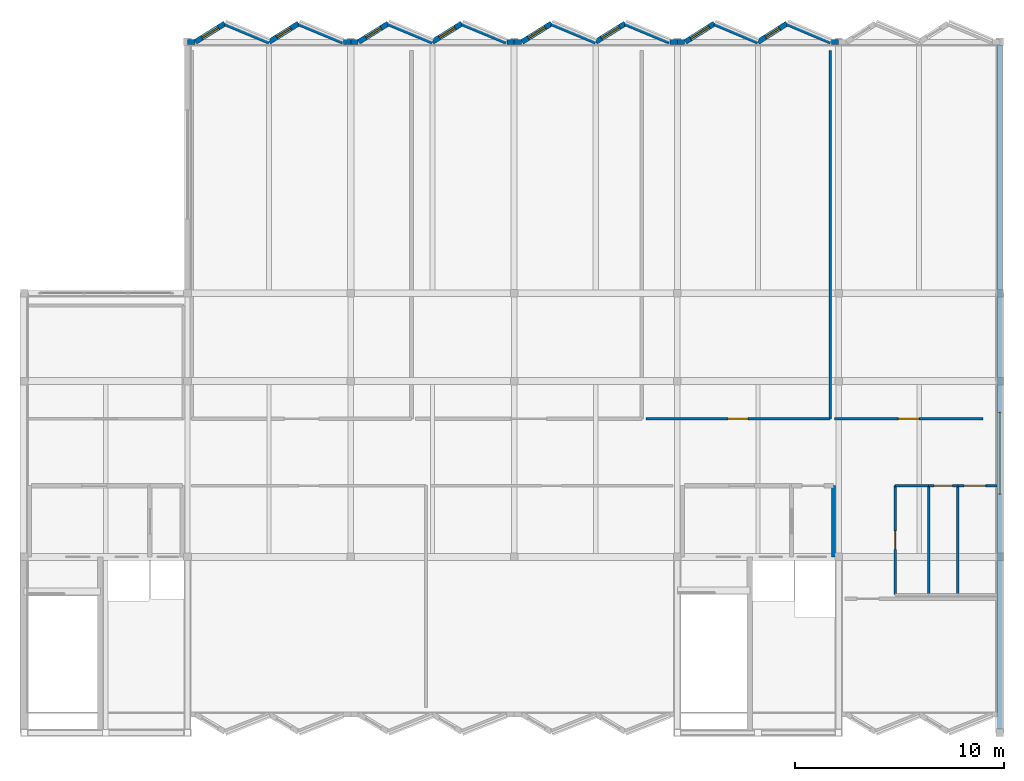
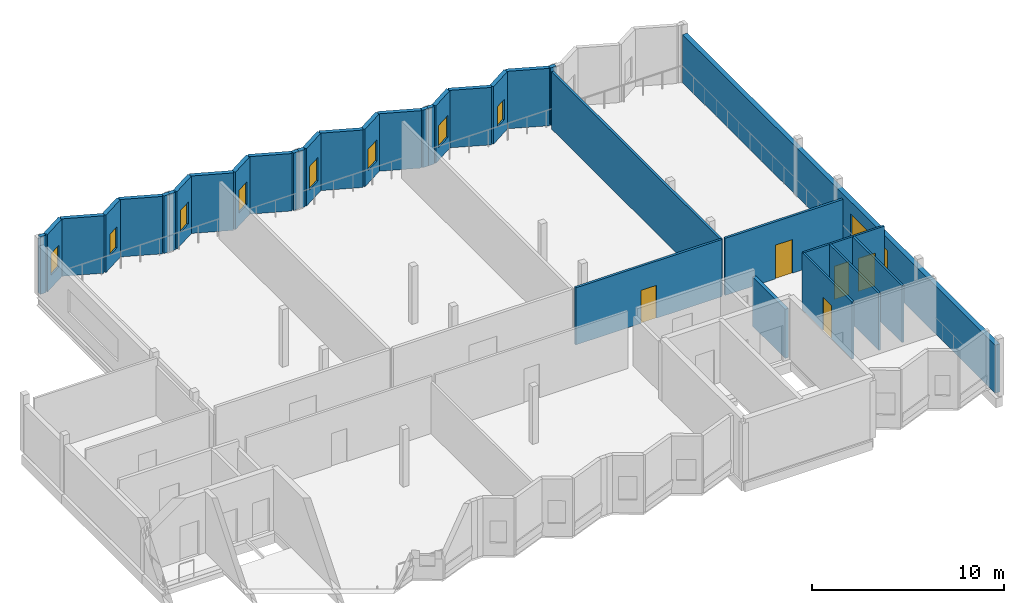
# One storey, part 6 of 8: 35 walls, 9 windows, 5 doors, 14 openings.
"""IFC4 building model written with IfcOpenShell, lengths in metres."""

import ifcopenshell
import ifcopenshell.guid

model = None  # the IFC model being written
_history = None  # IfcOwnerHistory: only IFC2X3 demands one
_inside = {}  # id of a spatial element -> (the spatial element, [elements in it])
_under = {}  # id of a project, library or spatial element -> (it, [spatial elements below it])
_declared = {}  # id of a project -> (the project, [libraries it declares])
_typed = {}  # id of a type object -> (the type object, [elements of that type])
_made_of = {}  # id of a material, layer set ... -> (it, [elements and type objects made of it])


def new_model(schema):
    """Start an empty IFC model of exactly this schema.

    Asked for "IFC4X3", IfcOpenShell would pick the latest addendum, in which some entities
    have other attributes; the version numbers below select the first issue.
    IFC2X3 requires an IfcOwnerHistory on every rooted entity: one is made here for all.
    """
    global model, _history
    if schema == "IFC4X3":
        model = ifcopenshell.file(schema_version=(4, 3, 0, 0))
    else:
        model = ifcopenshell.file(schema=schema)
    _inside.clear()
    _under.clear()
    _declared.clear()
    _typed.clear()
    _made_of.clear()
    _history = None
    if model.schema == "IFC2X3":
        org = make("IfcOrganization", Name="unknown")
        user = make(
            "IfcPersonAndOrganization",
            ThePerson=make("IfcPerson", FamilyName="unknown"),
            TheOrganization=org,
        )
        app = make(
            "IfcApplication",
            ApplicationDeveloper=org,
            Version="unknown",
            ApplicationFullName="unknown",
            ApplicationIdentifier="unknown",
        )
        _history = make(
            "IfcOwnerHistory",
            OwningUser=user,
            OwningApplication=app,
            ChangeAction="ADDED",
            CreationDate=0,
        )
    return model


def make(cls, **values):
    """One entity of the class cls with the attributes given. An attribute that is None is left unset."""
    return model.create_entity(
        cls, **{name: value for name, value in values.items() if value is not None}
    )


def rooted(cls, **values):
    """An entity with a GlobalId (a new one), such as an element, a storey or a relation."""
    return make(cls, GlobalId=ifcopenshell.guid.new(), OwnerHistory=_history, **values)


def si_unit(unit_type, name, prefix=None):
    """IfcSIUnit, for example si_unit("LENGTHUNIT", "METRE", prefix="MILLI")."""
    return make("IfcSIUnit", UnitType=unit_type, Prefix=prefix, Name=name)


def assignment(units):
    """IfcUnitAssignment: the units of a project."""
    return None if units is None else make("IfcUnitAssignment", Units=units)


def point(xyz):
    """IfcCartesianPoint."""
    return None if xyz is None else make("IfcCartesianPoint", Coordinates=xyz)


def direction(xyz):
    """IfcDirection."""
    return None if xyz is None else make("IfcDirection", DirectionRatios=xyz)


def frame(location, z_axis=None, x_axis=None):
    """IfcAxis2Placement3D, a coordinate frame: its origin and axes. An axis left out is left unset."""
    return make(
        "IfcAxis2Placement3D",
        Location=point(location),
        Axis=direction(z_axis),
        RefDirection=direction(x_axis),
    )


def frame_2d(location, x_axis=None):
    """IfcAxis2Placement2D, a coordinate frame in the plane: its origin and x axis."""
    return make(
        "IfcAxis2Placement2D", Location=point(location), RefDirection=direction(x_axis)
    )


def origin():
    """The frame at (0, 0, 0) with its axes left unset."""
    return frame((0.0, 0.0, 0.0))


def place(relative_to, where):
    """IfcLocalPlacement: puts the frame where relative to a parent placement (None: the world)."""
    return make(
        "IfcLocalPlacement", PlacementRelTo=relative_to, RelativePlacement=where
    )


def context(
    kind, dimensions, precision=None, world=None, true_north=None, identifier=None
):
    """IfcGeometricRepresentationContext, for example the 3D "Model" context."""
    return make(
        "IfcGeometricRepresentationContext",
        ContextIdentifier=identifier,
        ContextType=kind,
        CoordinateSpaceDimension=dimensions,
        Precision=precision,
        WorldCoordinateSystem=world,
        TrueNorth=true_north,
    )


def subcontext(parent, identifier, kind, view, scale=None):
    """IfcGeometricRepresentationSubContext, for example "Body" below "Model"."""
    return make(
        "IfcGeometricRepresentationSubContext",
        ContextIdentifier=identifier,
        ContextType=kind,
        ParentContext=parent,
        TargetScale=scale,
        TargetView=view,
    )


def project(units=None, contexts=None):
    """IfcProject with its units and contexts."""
    return rooted(
        "IfcProject",
        Name="project",
        RepresentationContexts=contexts,
        UnitsInContext=assignment(units),
    )


def spatial(cls, under=None, at=None, **own):
    """A site, building, storey or space (cls), placed at a placement, below another one or the project."""
    s = rooted(cls, ObjectPlacement=at, **own)
    if under is not None:
        _under.setdefault(under.id(), (under, []))[1].append(s)
    return s


def profile(cls, at=None, kind="AREA", **sizes):
    """A parametric profile (cls). Its sizes go by their IFC names, for example OverallWidth=200.0."""
    return make(cls, ProfileType=kind, Position=at, **sizes)


def rectangle(**sizes):
    """IfcRectangleProfileDef."""
    return profile("IfcRectangleProfileDef", **sizes)


def extrude(swept, where, along, depth):
    """IfcExtrudedAreaSolid: the profile swept, set in the frame where, extruded along a direction by depth."""
    return make(
        "IfcExtrudedAreaSolid",
        SweptArea=swept,
        Position=where,
        ExtrudedDirection=direction(along),
        Depth=depth,
    )


def shape(context_of_items, identifier, shape_type, items):
    """IfcShapeRepresentation: the items that make up one representation, for example the "Body"."""
    return make(
        "IfcShapeRepresentation",
        ContextOfItems=context_of_items,
        RepresentationIdentifier=identifier,
        RepresentationType=shape_type,
        Items=items,
    )


def material(Name=None, Category=None):
    """IfcMaterial."""
    return make("IfcMaterial", Name=Name, Category=Category)


def layer(
    of_material, thickness, ventilated=None, Name=None, Category=None, Priority=None
):
    """IfcMaterialLayer: one layer of a wall or slab, of a material (None: an air gap)."""
    return make(
        "IfcMaterialLayer",
        Material=of_material,
        LayerThickness=thickness,
        IsVentilated=ventilated,
        Name=Name,
        Category=Category,
        Priority=Priority,
    )


def layer_set(layers, Name=None):
    """IfcMaterialLayerSet."""
    return make("IfcMaterialLayerSet", MaterialLayers=layers, LayerSetName=Name)


def made_of(thing, what):
    """Note that an element or type object is made of a material, layer set ...; save() writes the relation."""
    if what is not None:
        _made_of.setdefault(what.id(), (what, []))[1].append(thing)
    return thing


def type_object(cls, material=None, **own):
    """A type object (cls), such as IfcWallType, which elements share."""
    return made_of(rooted(cls, **own), material)


def element(
    cls,
    number,
    at=None,
    inside=None,
    cuts=None,
    type_object=None,
    material=None,
    context=None,
    identifier="Body",
    shape_type=None,
    held_by="IfcProductDefinitionShape",
    body=None,
    shapes=None,
    **own,
):
    """One element of the class cls, such as IfcWall. Its Tag is "e" and its number.

    at: its placement. inside: the storey or other place that contains it. cuts: it is an
    opening in that element (IfcRelVoidsElement). A single representation is given by context,
    identifier, shape_type and body (its items); several are given by shapes. held_by: the class
    of the entity that holds the representations. save() writes the other relations.
    """
    e = rooted(cls, Tag="e%d" % number, ObjectPlacement=at, **own)
    if body is not None:
        shapes = [shape(context, identifier, shape_type, body)]
    if shapes is not None:
        e.Representation = make(held_by, Representations=shapes)
    if inside is not None:
        _inside.setdefault(inside.id(), (inside, []))[1].append(e)
    if cuts is not None:
        rooted(
            "IfcRelVoidsElement", RelatingBuildingElement=cuts, RelatedOpeningElement=e
        )
    if type_object is not None:
        _typed.setdefault(type_object.id(), (type_object, []))[1].append(e)
    return made_of(e, material)


def fill(opening, filler):
    """IfcRelFillsElement: the door or window that sits in an opening."""
    return rooted(
        "IfcRelFillsElement",
        RelatingOpeningElement=opening,
        RelatedBuildingElement=filler,
    )


def aggregate(whole, parts):
    """IfcRelAggregates: a whole, such as a stair, and the parts it consists of."""
    return rooted("IfcRelAggregates", RelatingObject=whole, RelatedObjects=parts)


def save(model, path):
    """Write the relations noted so far, then the file.

    IfcRelAggregates (storeys below a building ...), IfcRelContainedInSpatialStructure (elements
    in a storey), IfcRelDefinesByType, IfcRelAssociatesMaterial and IfcRelDeclares: one each for
    every whole, place, type object, material and project.
    """
    for whole, parts in _under.values():
        aggregate(whole, parts)
    for where, things in _inside.values():
        rooted(
            "IfcRelContainedInSpatialStructure",
            RelatedElements=things,
            RelatingStructure=where,
        )
    for kind, things in _typed.values():
        rooted("IfcRelDefinesByType", RelatedObjects=things, RelatingType=kind)
    for what, things in _made_of.values():
        rooted("IfcRelAssociatesMaterial", RelatedObjects=things, RelatingMaterial=what)
    for by, libraries in _declared.values():
        rooted("IfcRelDeclares", RelatingContext=by, RelatedDefinitions=libraries)
    model.write(path)


model = new_model("IFC4")

# Units and contexts
model_context = context("Model", 3, precision=1e-05, world=origin(), true_north=direction((0.0, 1.0)))
body_context = subcontext(model_context, "Body", "Model", "MODEL_VIEW")
ifc_project = project(units=[si_unit("LENGTHUNIT", "METRE"), si_unit("AREAUNIT", "SQUARE_METRE"), si_unit("VOLUMEUNIT", "CUBIC_METRE"), si_unit("PLANEANGLEUNIT", "RADIAN"), si_unit("MASSUNIT", "GRAM", prefix="KILO")], contexts=[model_context])

# Site, building, storey
site_placement = place(None, origin())
site = spatial("IfcSite", under=ifc_project, at=site_placement, CompositionType="ELEMENT")
building_placement = place(site_placement, origin())
building = spatial("IfcBuilding", under=site, at=building_placement, Name="Vharandega Faculty of Natural Sciences", CompositionType="ELEMENT")
storey_placement = place(building_placement, frame((0.0, 0.0, 43.199951171875)))
storey = spatial("IfcBuildingStorey", under=building, at=storey_placement, Name="L11", CompositionType="ELEMENT", Elevation=43.199951171875)

# Wall
ifc_material_1 = material(Name="Concrete C40/50", Category="concrete")
ifc_layer_1 = layer(ifc_material_1, 0.199951171875, Name="Concrete C40/50")
ifc_layer_set_1 = layer_set([ifc_layer_1], Name="Concrete C40/50")
wall_type_1 = type_object("IfcWallType", Name="Firefighting Lobby Wall 200", PredefinedType="PARTITIONING", material=ifc_layer_set_1)
wall_1_placement = place(storey_placement, frame((153.449951171875, 72.39990234375, 0.0), z_axis=(0.0, 0.0, 1.0), x_axis=(0.0, 1.0, 0.0)))
element("IfcWall", 1, at=wall_1_placement, inside=storey, type_object=wall_type_1, Name="Interior Wall PW-LL-C2-L11-E", PredefinedType="PARTITIONING", context=body_context, shape_type="SweptSolid", body=[
    extrude(rectangle(XDim=3.400146484375, YDim=0.199951171875, at=frame_2d((1.7001953125, 0.0))), origin(), (0.0, 0.0, 1.0), 3.14013671875),
])

# Wall, opening, door
ifc_material_2 = material(Name="Gypsum acoustic partition", Category="gypsum")
ifc_layer_2 = layer(ifc_material_2, 0.139892578125, Name="Gypsum acoustic partition")
ifc_layer_set_2 = layer_set([ifc_layer_2], Name="Gypsum acoustic partition")
wall_type_2 = type_object("IfcWallType", Name="Room Partition Wall 140", PredefinedType="PARTITIONING", material=ifc_layer_set_2)
wall_2_placement = place(storey_placement, frame((144.5, 79.0, 0.0), z_axis=(0.0, 0.0, 1.0), x_axis=(1.0, 0.0, 0.0)))
wall_2 = element("IfcWall", 2, at=wall_2_placement, inside=storey, type_object=wall_type_2, Name="Interior Wall PW-L11-R10S", PredefinedType="PARTITIONING", context=body_context, shape_type="SweptSolid", body=[
    extrude(rectangle(XDim=8.800048828125, YDim=0.139892578125, at=frame_2d((4.39990234375, 0.0))), origin(), (0.0, 0.0, 1.0), 3.64013671875),
])
opening_1_placement = place(wall_2_placement, frame((3.925048828125, 0.0, 0.0)))
opening_1 = element("IfcOpeningElement", 3, at=opening_1_placement, cuts=wall_2, Name="Opening D0392", PredefinedType="OPENING", context=body_context, shape_type="SweptSolid", body=[
    extrude(rectangle(XDim=0.949951171875, YDim=2.10009765625, at=frame_2d((0.47509765625, 1.050048828125))), frame((0.0, 0.080078125, 0.0), z_axis=(0.0, -1.0, 0.0), x_axis=(1.0, 0.0, 0.0)), (0.0, 0.0, 1.0), 0.159912109375),
])
ifc_material_3 = material(Name="Solid-core hardwood timber fire door", Category="wood")
door_type_1 = type_object("IfcDoorType", Name="ID04-OFFICE-0950x2100", OperationType="NOTDEFINED", PredefinedType="DOOR", material=ifc_material_3)
door_1_placement = place(opening_1_placement, origin())
door_1 = element("IfcDoor", 4, at=door_1_placement, inside=storey, type_object=door_type_1, Name="Dean of Natural Sciences Office Suite Door D0392", OperationType="SINGLE_SWING_LEFT", OverallHeight=2.10009765625, OverallWidth=0.949951171875, PredefinedType="DOOR", context=body_context, shape_type="SweptSolid", body=[
    extrude(rectangle(XDim=0.949951171875, YDim=2.10009765625, at=frame_2d((0.47509765625, 1.050048828125))), frame((0.0, 0.02490234375, 0.0), z_axis=(0.0, -1.0, 0.0), x_axis=(1.0, 0.0, 0.0)), (0.0, 0.0, 1.0), 0.050048828125),
])
fill(opening_1, door_1)

# Wall
wall_3_placement = place(storey_placement, frame((153.300048828125, 79.0, 0.0), z_axis=(0.0, 0.0, 1.0), x_axis=(0.0, 1.0, 0.0)))
element("IfcWall", 5, at=wall_3_placement, inside=storey, type_object=wall_type_2, Name="Interior Wall PW-L11-R10E", PredefinedType="PARTITIONING", context=body_context, shape_type="SweptSolid", body=[
    extrude(rectangle(XDim=17.60009765625, YDim=0.139892578125, at=frame_2d((8.800048828125, 0.0))), origin(), (0.0, 0.0, 1.0), 3.64013671875),
])

# Wall, opening, door
wall_4_placement = place(storey_placement, frame((153.5, 79.0, 0.0), z_axis=(0.0, 0.0, 1.0), x_axis=(1.0, 0.0, 0.0)))
wall_4 = element("IfcWall", 6, at=wall_4_placement, inside=storey, type_object=wall_type_2, Name="Interior Wall PW-L11-R11S", PredefinedType="PARTITIONING", context=body_context, shape_type="SweptSolid", body=[
    extrude(rectangle(XDim=7.10009765625, YDim=0.139892578125, at=frame_2d((3.550048828125, 0.0))), origin(), (0.0, 0.0, 1.0), 3.64013671875),
])
opening_2_placement = place(wall_4_placement, frame((3.050048828125, 0.0, 0.0)))
opening_2 = element("IfcOpeningElement", 7, at=opening_2_placement, cuts=wall_4, Name="Opening D0393", PredefinedType="OPENING", context=body_context, shape_type="SweptSolid", body=[
    extrude(rectangle(XDim=1.0, YDim=2.14990234375, at=frame_2d((0.5, 1.074951171875))), frame((0.0, 0.080078125, 0.0), z_axis=(0.0, -1.0, 0.0), x_axis=(1.0, 0.0, 0.0)), (0.0, 0.0, 1.0), 0.159912109375),
])
ifc_material_4 = material(Name="Solid-core hardwood timber fire door", Category="wood")
door_type_2 = type_object("IfcDoorType", Name="ID02-SEMINAR-1000x2150", OperationType="NOTDEFINED", PredefinedType="DOOR", material=ifc_material_4)
door_2_placement = place(opening_2_placement, origin())
door_2 = element("IfcDoor", 8, at=door_2_placement, inside=storey, type_object=door_type_2, Name="Rooftop Botanical Research Conservatory Door D0393", OperationType="SINGLE_SWING_RIGHT", OverallHeight=2.14990234375, OverallWidth=1.0, PredefinedType="DOOR", context=body_context, shape_type="SweptSolid", body=[
    extrude(rectangle(XDim=1.0, YDim=2.14990234375, at=frame_2d((0.5, 1.074951171875))), frame((0.0, 0.02490234375, 0.0), z_axis=(0.0, -1.0, 0.0), x_axis=(1.0, 0.0, 0.0)), (0.0, 0.0, 1.0), 0.050048828125),
])
fill(opening_2, door_2)

# Wall
ifc_material_5 = material(Name="Moisture-resistant gypsum partition", Category="gypsum")
ifc_layer_3 = layer(ifc_material_5, 0.1201171875, Name="Moisture-resistant gypsum partition")
ifc_layer_set_3 = layer_set([ifc_layer_3], Name="Moisture-resistant gypsum partition")
wall_type_3 = type_object("IfcWallType", Name="Sanitary Wet Wall 120", PredefinedType="PARTITIONING", material=ifc_layer_set_3)
wall_5_placement = place(storey_placement, frame((156.39990234375, 75.800048828125, 0.0), z_axis=(0.0, 0.0, 1.0), x_axis=(1.0, 0.0, 0.0)))
element("IfcWall", 9, at=wall_5_placement, inside=storey, type_object=wall_type_3, Name="Interior Wall PW-L11-R04N", PredefinedType="PARTITIONING", context=body_context, shape_type="SweptSolid", body=[
    extrude(rectangle(XDim=1.60009765625, YDim=0.1201171875, at=frame_2d((0.800048828125, 0.0))), origin(), (0.0, 0.0, 1.0), 3.64013671875),
])

# Wall, opening, door
wall_6_placement = place(storey_placement, frame((156.39990234375, 70.60009765625, 0.0), z_axis=(0.0, 0.0, 1.0), x_axis=(0.0, 1.0, 0.0)))
wall_6 = element("IfcWall", 10, at=wall_6_placement, inside=storey, type_object=wall_type_3, Name="Interior Wall PW-L11-R04W", PredefinedType="PARTITIONING", context=body_context, shape_type="SweptSolid", body=[
    extrude(rectangle(XDim=5.199951171875, YDim=0.1201171875, at=frame_2d((2.60009765625, 0.0))), origin(), (0.0, 0.0, 1.0), 3.64013671875),
])
opening_3_placement = place(wall_6_placement, frame((2.159912109375, 0.0, 0.0)))
opening_3 = element("IfcOpeningElement", 11, at=opening_3_placement, cuts=wall_6, Name="Opening D0386", PredefinedType="OPENING", context=body_context, shape_type="SweptSolid", body=[
    extrude(rectangle(XDim=0.8798828125, YDim=2.10009765625, at=frame_2d((0.43994140625, 1.050048828125))), frame((0.0, 0.070068359375, 0.0), z_axis=(0.0, -1.0, 0.0), x_axis=(1.0, 0.0, 0.0)), (0.0, 0.0, 1.0), 0.14013671875),
])
ifc_material_6 = material(Name="Solid-core hardwood timber fire door", Category="wood")
door_type_3 = type_object("IfcDoorType", Name="ID06-WC-0880x2100", OperationType="NOTDEFINED", PredefinedType="DOOR", material=ifc_material_6)
door_3_placement = place(opening_3_placement, origin())
door_3 = element("IfcDoor", 12, at=door_3_placement, inside=storey, type_object=door_type_3, Name="L11 Male Washroom Door D0386", OperationType="SINGLE_SWING_LEFT", OverallHeight=2.10009765625, OverallWidth=0.8798828125, PredefinedType="DOOR", context=body_context, shape_type="SweptSolid", body=[
    extrude(rectangle(XDim=0.8798828125, YDim=2.10009765625, at=frame_2d((0.43994140625, 1.050048828125))), frame((0.0, 0.02490234375, 0.0), z_axis=(0.0, -1.0, 0.0), x_axis=(1.0, 0.0, 0.0)), (0.0, 0.0, 1.0), 0.050048828125),
])
fill(opening_3, door_3)

# Wall
wall_7_placement = place(storey_placement, frame((158.0, 70.60009765625, 0.0), z_axis=(0.0, 0.0, 1.0), x_axis=(0.0, 1.0, 0.0)))
element("IfcWall", 13, at=wall_7_placement, inside=storey, type_object=wall_type_3, Name="Interior Wall PW-L11-R04E", PredefinedType="PARTITIONING", context=body_context, shape_type="SweptSolid", body=[
    extrude(rectangle(XDim=5.199951171875, YDim=0.1201171875, at=frame_2d((2.60009765625, 0.0))), origin(), (0.0, 0.0, 1.0), 3.64013671875),
])

# Wall, opening, door
wall_8_placement = place(storey_placement, frame((158.0, 75.800048828125, 0.0), z_axis=(0.0, 0.0, 1.0), x_axis=(1.0, 0.0, 0.0)))
wall_8 = element("IfcWall", 14, at=wall_8_placement, inside=storey, type_object=wall_type_3, Name="Interior Wall PW-L11-R05N", PredefinedType="PARTITIONING", context=body_context, shape_type="SweptSolid", body=[
    extrude(rectangle(XDim=1.39990234375, YDim=0.1201171875, at=frame_2d((0.699951171875, 0.0))), origin(), (0.0, 0.0, 1.0), 3.64013671875),
])
opening_4_placement = place(wall_8_placement, frame((0.260009765625, 0.0, 0.0)))
opening_4 = element("IfcOpeningElement", 15, at=opening_4_placement, cuts=wall_8, Name="Opening D0387", PredefinedType="OPENING", context=body_context, shape_type="SweptSolid", body=[
    extrude(rectangle(XDim=0.8798828125, YDim=2.10009765625, at=frame_2d((0.43994140625, 1.050048828125))), frame((0.0, 0.070068359375, 0.0), z_axis=(0.0, -1.0, 0.0), x_axis=(1.0, 0.0, 0.0)), (0.0, 0.0, 1.0), 0.14013671875),
])
door_4_placement = place(opening_4_placement, origin())
door_4 = element("IfcDoor", 16, at=door_4_placement, inside=storey, type_object=door_type_3, Name="L11 Female Washroom Door D0387", OperationType="SINGLE_SWING_RIGHT", OverallHeight=2.10009765625, OverallWidth=0.8798828125, PredefinedType="DOOR", context=body_context, shape_type="SweptSolid", body=[
    extrude(rectangle(XDim=0.8798828125, YDim=2.10009765625, at=frame_2d((0.43994140625, 1.050048828125))), frame((0.0, 0.02490234375, 0.0), z_axis=(0.0, -1.0, 0.0), x_axis=(1.0, 0.0, 0.0)), (0.0, 0.0, 1.0), 0.050048828125),
])
fill(opening_4, door_4)

# Wall
wall_9_placement = place(storey_placement, frame((159.39990234375, 70.60009765625, 0.0), z_axis=(0.0, 0.0, 1.0), x_axis=(0.0, 1.0, 0.0)))
element("IfcWall", 17, at=wall_9_placement, inside=storey, type_object=wall_type_3, Name="Interior Wall PW-L11-R05E", PredefinedType="PARTITIONING", context=body_context, shape_type="SweptSolid", body=[
    extrude(rectangle(XDim=5.199951171875, YDim=0.1201171875, at=frame_2d((2.60009765625, 0.0))), origin(), (0.0, 0.0, 1.0), 3.64013671875),
])

# Wall, opening, door
wall_10_placement = place(storey_placement, frame((159.39990234375, 75.800048828125, 0.0), z_axis=(0.0, 0.0, 1.0), x_axis=(1.0, 0.0, 0.0)))
wall_10 = element("IfcWall", 18, at=wall_10_placement, inside=storey, type_object=wall_type_3, Name="Interior Wall PW-L11-R06N", PredefinedType="PARTITIONING", context=body_context, shape_type="SweptSolid", body=[
    extrude(rectangle(XDim=1.860107421875, YDim=0.1201171875, at=frame_2d((0.93017578125, 0.0))), origin(), (0.0, 0.0, 1.0), 3.64013671875),
])
opening_5_placement = place(wall_10_placement, frame((0.300048828125, 0.0, 0.0)))
opening_5 = element("IfcOpeningElement", 19, at=opening_5_placement, cuts=wall_10, Name="Opening D0388", PredefinedType="OPENING", context=body_context, shape_type="SweptSolid", body=[
    extrude(rectangle(XDim=1.02001953125, YDim=2.10009765625, at=frame_2d((0.510009765625, 1.050048828125))), frame((0.0, 0.070068359375, 0.0), z_axis=(0.0, -1.0, 0.0), x_axis=(1.0, 0.0, 0.0)), (0.0, 0.0, 1.0), 0.14013671875),
])
ifc_material_7 = material(Name="Solid-core hardwood timber fire door", Category="wood")
door_type_4 = type_object("IfcDoorType", Name="ID07-ACCWC-1020x2100", OperationType="NOTDEFINED", PredefinedType="DOOR", material=ifc_material_7)
door_5_placement = place(opening_5_placement, origin())
door_5 = element("IfcDoor", 20, at=door_5_placement, inside=storey, type_object=door_type_4, Name="L11 Accessible WC Door D0388", OperationType="SINGLE_SWING_LEFT", OverallHeight=2.10009765625, OverallWidth=1.02001953125, PredefinedType="DOOR", context=body_context, shape_type="SweptSolid", body=[
    extrude(rectangle(XDim=1.02001953125, YDim=2.10009765625, at=frame_2d((0.510009765625, 1.050048828125))), frame((0.0, 0.02490234375, 0.0), z_axis=(0.0, -1.0, 0.0), x_axis=(1.0, 0.0, 0.0)), (0.0, 0.0, 1.0), 0.050048828125),
])
fill(opening_5, door_5)

# Wall, opening, window
ifc_material_8 = material(Name="Precast concrete C40/50", Category="concrete")
ifc_layer_4 = layer(ifc_material_8, 0.25, Name="Precast concrete C40/50")
ifc_layer_set_4 = layer_set([ifc_layer_4], Name="Precast concrete C40/50")
wall_type_4 = type_object("IfcWallType", Name="Sawtooth Glazed-Face Precast Wall 250", PredefinedType="SOLIDWALL", material=ifc_layer_set_4)
wall_11_placement = place(storey_placement, frame((122.97998046875, 97.0, 0.0), z_axis=(0.0, 0.0, 1.0), x_axis=(0.848023086369, 0.529959286158, 0.0)))
wall_11 = element("IfcWall", 21, at=wall_11_placement, inside=storey, type_object=wall_type_4, Name="Exterior Wall EW-SAW-L11-N01G", PredefinedType="SOLIDWALL", context=body_context, shape_type="SweptSolid", body=[
    extrude(rectangle(XDim=1.660400390625, YDim=0.25, at=frame_2d((0.830078125, 0.0))), origin(), (0.0, 0.0, 1.0), 3.66015625),
])
opening_6_placement = place(wall_11_placement, frame((0.3701171875, 0.0, 0.820068359375)))
opening_6 = element("IfcOpeningElement", 22, at=opening_6_placement, cuts=wall_11, Name="Opening WN-06B", PredefinedType="OPENING", context=body_context, shape_type="SweptSolid", body=[
    extrude(rectangle(XDim=0.919921875, YDim=1.3798828125, at=frame_2d((0.4599609375, 0.68994140625))), frame((0.0, 0.135009765625, 0.0), z_axis=(0.0, -1.0, 0.0), x_axis=(1.0, 0.0, 0.0)), (0.0, 0.0, 1.0), 0.27001953125),
])
ifc_material_9 = material(Name="Double-glazed solar-control glass in thermally broken aluminium frame", Category="aluminium")
window_type_1 = type_object("IfcWindowType", Name="WIN-SAW-092x138", PartitioningType="SINGLE_PANEL", PredefinedType="WINDOW", material=ifc_material_9)
window_1_placement = place(opening_6_placement, origin())
window_1 = element("IfcWindow", 23, at=window_1_placement, inside=storey, type_object=window_type_1, Name="Window WIN-L11-0129", OverallHeight=1.3798828125, OverallWidth=0.919921875, PartitioningType="SINGLE_PANEL", PredefinedType="WINDOW", context=body_context, shape_type="SweptSolid", body=[
    extrude(rectangle(XDim=0.919921875, YDim=1.3798828125, at=frame_2d((0.4599609375, 0.68994140625))), frame((0.0, 0.030029296875, 0.0), z_axis=(0.0, -1.0, 0.0), x_axis=(1.0, 0.0, 0.0)), (0.0, 0.0, 1.0), 0.06005859375),
])
fill(opening_6, window_1)

wall_12_placement = place(storey_placement, frame((126.5, 97.0, 0.0), z_axis=(0.0, 0.0, 1.0), x_axis=(0.848023086369, 0.529959286158, 0.0)))
wall_12 = element("IfcWall", 24, at=wall_12_placement, inside=storey, type_object=wall_type_4, Name="Exterior Wall EW-SAW-L11-N02G", PredefinedType="SOLIDWALL", context=body_context, shape_type="SweptSolid", body=[
    extrude(rectangle(XDim=1.660400390625, YDim=0.25, at=frame_2d((0.830078125, 0.0))), origin(), (0.0, 0.0, 1.0), 3.66015625),
])
opening_7_placement = place(wall_12_placement, frame((0.43017578125, 0.0, 0.820068359375)))
opening_7 = element("IfcOpeningElement", 25, at=opening_7_placement, cuts=wall_12, Name="Opening WN-01", PredefinedType="OPENING", context=body_context, shape_type="SweptSolid", body=[
    extrude(rectangle(XDim=0.800048828125, YDim=1.35009765625, at=frame_2d((0.39990234375, 0.675048828125))), frame((0.0, 0.135009765625, 0.0), z_axis=(0.0, -1.0, 0.0), x_axis=(1.0, 0.0, 0.0)), (0.0, 0.0, 1.0), 0.27001953125),
])
ifc_material_10 = material(Name="Double-glazed solar-control glass in thermally broken aluminium frame", Category="aluminium")
window_type_2 = type_object("IfcWindowType", Name="WIN-SAW-080x135", PartitioningType="SINGLE_PANEL", PredefinedType="WINDOW", material=ifc_material_10)
window_2_placement = place(opening_7_placement, origin())
window_2 = element("IfcWindow", 26, at=window_2_placement, inside=storey, type_object=window_type_2, Name="Window WIN-L11-0130", OverallHeight=1.35009765625, OverallWidth=0.800048828125, PartitioningType="SINGLE_PANEL", PredefinedType="WINDOW", context=body_context, shape_type="SweptSolid", body=[
    extrude(rectangle(XDim=0.800048828125, YDim=1.35009765625, at=frame_2d((0.39990234375, 0.675048828125))), frame((0.0, 0.030029296875, 0.0), z_axis=(0.0, -1.0, 0.0), x_axis=(1.0, 0.0, 0.0)), (0.0, 0.0, 1.0), 0.06005859375),
])
fill(opening_7, window_2)

wall_13_placement = place(storey_placement, frame((130.780029296875, 97.0, 0.0), z_axis=(0.0, 0.0, 1.0), x_axis=(0.848023086369, 0.529959286158, 0.0)))
wall_13 = element("IfcWall", 27, at=wall_13_placement, inside=storey, type_object=wall_type_4, Name="Exterior Wall EW-SAW-L11-N03G", PredefinedType="SOLIDWALL", context=body_context, shape_type="SweptSolid", body=[
    extrude(rectangle(XDim=1.660400390625, YDim=0.25, at=frame_2d((0.830078125, 0.0))), origin(), (0.0, 0.0, 1.0), 3.66015625),
])
opening_8_placement = place(wall_13_placement, frame((0.4052734375, 0.0, 0.820068359375)))
opening_8 = element("IfcOpeningElement", 28, at=opening_8_placement, cuts=wall_13, Name="Opening WN-02", PredefinedType="OPENING", context=body_context, shape_type="SweptSolid", body=[
    extrude(rectangle(XDim=0.85009765625, YDim=1.39990234375, at=frame_2d((0.425048828125, 0.699951171875))), frame((0.0, 0.135009765625, 0.0), z_axis=(0.0, -1.0, 0.0), x_axis=(1.0, 0.0, 0.0)), (0.0, 0.0, 1.0), 0.27001953125),
])
ifc_material_11 = material(Name="Double-glazed solar-control glass in thermally broken aluminium frame", Category="aluminium")
window_type_3 = type_object("IfcWindowType", Name="WIN-SAW-085x140", PartitioningType="SINGLE_PANEL", PredefinedType="WINDOW", material=ifc_material_11)
window_3_placement = place(opening_8_placement, origin())
window_3 = element("IfcWindow", 29, at=window_3_placement, inside=storey, type_object=window_type_3, Name="Window WIN-L11-0131", OverallHeight=1.39990234375, OverallWidth=0.85009765625, PartitioningType="SINGLE_PANEL", PredefinedType="WINDOW", context=body_context, shape_type="SweptSolid", body=[
    extrude(rectangle(XDim=0.85009765625, YDim=1.39990234375, at=frame_2d((0.425048828125, 0.699951171875))), frame((0.0, 0.030029296875, 0.0), z_axis=(0.0, -1.0, 0.0), x_axis=(1.0, 0.0, 0.0)), (0.0, 0.0, 1.0), 0.06005859375),
])
fill(opening_8, window_3)

wall_14_placement = place(storey_placement, frame((134.300048828125, 97.0, 0.0), z_axis=(0.0, 0.0, 1.0), x_axis=(0.848023086369, 0.529959286158, 0.0)))
wall_14 = element("IfcWall", 30, at=wall_14_placement, inside=storey, type_object=wall_type_4, Name="Exterior Wall EW-SAW-L11-N04G", PredefinedType="SOLIDWALL", context=body_context, shape_type="SweptSolid", body=[
    extrude(rectangle(XDim=1.660400390625, YDim=0.25, at=frame_2d((0.830078125, 0.0))), origin(), (0.0, 0.0, 1.0), 3.66015625),
])
opening_9_placement = place(wall_14_placement, frame((0.380126953125, 0.0, 0.820068359375)))
opening_9 = element("IfcOpeningElement", 31, at=opening_9_placement, cuts=wall_14, Name="Opening WN-03", PredefinedType="OPENING", context=body_context, shape_type="SweptSolid", body=[
    extrude(rectangle(XDim=0.89990234375, YDim=1.449951171875, at=frame_2d((0.449951171875, 0.72509765625))), frame((0.0, 0.135009765625, 0.0), z_axis=(0.0, -1.0, 0.0), x_axis=(1.0, 0.0, 0.0)), (0.0, 0.0, 1.0), 0.27001953125),
])
ifc_material_12 = material(Name="Double-glazed solar-control glass in thermally broken aluminium frame", Category="aluminium")
window_type_4 = type_object("IfcWindowType", Name="WIN-SAW-090x145", PartitioningType="SINGLE_PANEL", PredefinedType="WINDOW", material=ifc_material_12)
window_4_placement = place(opening_9_placement, origin())
window_4 = element("IfcWindow", 32, at=window_4_placement, inside=storey, type_object=window_type_4, Name="Window WIN-L11-0132", OverallHeight=1.449951171875, OverallWidth=0.89990234375, PartitioningType="SINGLE_PANEL", PredefinedType="WINDOW", context=body_context, shape_type="SweptSolid", body=[
    extrude(rectangle(XDim=0.89990234375, YDim=1.449951171875, at=frame_2d((0.449951171875, 0.72509765625))), frame((0.0, 0.030029296875, 0.0), z_axis=(0.0, -1.0, 0.0), x_axis=(1.0, 0.0, 0.0)), (0.0, 0.0, 1.0), 0.06005859375),
])
fill(opening_9, window_4)

wall_15_placement = place(storey_placement, frame((138.580078125, 97.0, 0.0), z_axis=(0.0, 0.0, 1.0), x_axis=(0.848023086369, 0.529959286158, 0.0)))
wall_15 = element("IfcWall", 33, at=wall_15_placement, inside=storey, type_object=wall_type_4, Name="Exterior Wall EW-SAW-L11-N05G", PredefinedType="SOLIDWALL", context=body_context, shape_type="SweptSolid", body=[
    extrude(rectangle(XDim=1.660400390625, YDim=0.25, at=frame_2d((0.830078125, 0.0))), origin(), (0.0, 0.0, 1.0), 3.66015625),
])
opening_10_placement = place(wall_15_placement, frame((0.355224609375, 0.0, 0.820068359375)))
opening_10 = element("IfcOpeningElement", 34, at=opening_10_placement, cuts=wall_15, Name="Opening WN-04", PredefinedType="OPENING", context=body_context, shape_type="SweptSolid", body=[
    extrude(rectangle(XDim=0.949951171875, YDim=1.5, at=frame_2d((0.47509765625, 0.75))), frame((0.0, 0.135009765625, 0.0), z_axis=(0.0, -1.0, 0.0), x_axis=(1.0, 0.0, 0.0)), (0.0, 0.0, 1.0), 0.27001953125),
])
ifc_material_13 = material(Name="Double-glazed solar-control glass in thermally broken aluminium frame", Category="aluminium")
window_type_5 = type_object("IfcWindowType", Name="WIN-SAW-095x150", PartitioningType="SINGLE_PANEL", PredefinedType="WINDOW", material=ifc_material_13)
window_5_placement = place(opening_10_placement, origin())
window_5 = element("IfcWindow", 35, at=window_5_placement, inside=storey, type_object=window_type_5, Name="Window WIN-L11-0133", OverallHeight=1.5, OverallWidth=0.949951171875, PartitioningType="SINGLE_PANEL", PredefinedType="WINDOW", context=body_context, shape_type="SweptSolid", body=[
    extrude(rectangle(XDim=0.949951171875, YDim=1.5, at=frame_2d((0.47509765625, 0.75))), frame((0.0, 0.030029296875, 0.0), z_axis=(0.0, -1.0, 0.0), x_axis=(1.0, 0.0, 0.0)), (0.0, 0.0, 1.0), 0.06005859375),
])
fill(opening_10, window_5)

wall_16_placement = place(storey_placement, frame((142.10009765625, 97.0, 0.0), z_axis=(0.0, 0.0, 1.0), x_axis=(0.848023086369, 0.529959286158, 0.0)))
wall_16 = element("IfcWall", 36, at=wall_16_placement, inside=storey, type_object=wall_type_4, Name="Exterior Wall EW-SAW-L11-N06G", PredefinedType="SOLIDWALL", context=body_context, shape_type="SweptSolid", body=[
    extrude(rectangle(XDim=1.660400390625, YDim=0.25, at=frame_2d((0.830078125, 0.0))), origin(), (0.0, 0.0, 1.0), 3.66015625),
])
opening_11_placement = place(wall_16_placement, frame((0.330078125, 0.0, 0.820068359375)))
opening_11 = element("IfcOpeningElement", 37, at=opening_11_placement, cuts=wall_16, Name="Opening WN-05", PredefinedType="OPENING", context=body_context, shape_type="SweptSolid", body=[
    extrude(rectangle(XDim=1.0, YDim=1.35009765625, at=frame_2d((0.5, 0.675048828125))), frame((0.0, 0.135009765625, 0.0), z_axis=(0.0, -1.0, 0.0), x_axis=(1.0, 0.0, 0.0)), (0.0, 0.0, 1.0), 0.27001953125),
])
ifc_material_14 = material(Name="Double-glazed solar-control glass in thermally broken aluminium frame", Category="aluminium")
window_type_6 = type_object("IfcWindowType", Name="WIN-SAW-100x135", PartitioningType="SINGLE_PANEL", PredefinedType="WINDOW", material=ifc_material_14)
window_6_placement = place(opening_11_placement, origin())
window_6 = element("IfcWindow", 38, at=window_6_placement, inside=storey, type_object=window_type_6, Name="Window WIN-L11-0134", OverallHeight=1.35009765625, OverallWidth=1.0, PartitioningType="SINGLE_PANEL", PredefinedType="WINDOW", context=body_context, shape_type="SweptSolid", body=[
    extrude(rectangle(XDim=1.0, YDim=1.35009765625, at=frame_2d((0.5, 0.675048828125))), frame((0.0, 0.030029296875, 0.0), z_axis=(0.0, -1.0, 0.0), x_axis=(1.0, 0.0, 0.0)), (0.0, 0.0, 1.0), 0.06005859375),
])
fill(opening_11, window_6)

wall_17_placement = place(storey_placement, frame((146.3798828125, 97.0, 0.0), z_axis=(0.0, 0.0, 1.0), x_axis=(0.844626536799, 0.535355968805, 0.0)))
wall_17 = element("IfcWall", 39, at=wall_17_placement, inside=storey, type_object=wall_type_4, Name="Exterior Wall EW-SAW-L11-N07G", PredefinedType="SOLIDWALL", context=body_context, shape_type="SweptSolid", body=[
    extrude(rectangle(XDim=1.6435546875, YDim=0.25, at=frame_2d((0.82177734375, 0.0))), origin(), (0.0, 0.0, 1.0), 3.66015625),
])
opening_12_placement = place(wall_17_placement, frame((0.296630859375, 0.0, 0.820068359375)))
opening_12 = element("IfcOpeningElement", 40, at=opening_12_placement, cuts=wall_17, Name="Opening WN-06", PredefinedType="OPENING", context=body_context, shape_type="SweptSolid", body=[
    extrude(rectangle(XDim=1.050048828125, YDim=1.39990234375, at=frame_2d((0.52490234375, 0.699951171875))), frame((0.0, 0.135009765625, 0.0), z_axis=(0.0, -1.0, 0.0), x_axis=(1.0, 0.0, 0.0)), (0.0, 0.0, 1.0), 0.27001953125),
])
ifc_material_15 = material(Name="Double-glazed solar-control glass in thermally broken aluminium frame", Category="aluminium")
window_type_7 = type_object("IfcWindowType", Name="WIN-SAW-105x140", PartitioningType="SINGLE_PANEL", PredefinedType="WINDOW", material=ifc_material_15)
window_7_placement = place(opening_12_placement, origin())
window_7 = element("IfcWindow", 41, at=window_7_placement, inside=storey, type_object=window_type_7, Name="Window WIN-L11-0135", OverallHeight=1.39990234375, OverallWidth=1.050048828125, PartitioningType="SINGLE_PANEL", PredefinedType="WINDOW", context=body_context, shape_type="SweptSolid", body=[
    extrude(rectangle(XDim=1.050048828125, YDim=1.39990234375, at=frame_2d((0.52490234375, 0.699951171875))), frame((0.0, 0.030029296875, 0.0), z_axis=(0.0, -1.0, 0.0), x_axis=(1.0, 0.0, 0.0)), (0.0, 0.0, 1.0), 0.06005859375),
])
fill(opening_12, window_7)

wall_18_placement = place(storey_placement, frame((149.85009765625, 97.0, 0.0), z_axis=(0.0, 0.0, 1.0), x_axis=(0.844583954912, 0.535423143976, 0.0)))
wall_18 = element("IfcWall", 42, at=wall_18_placement, inside=storey, type_object=wall_type_4, Name="Exterior Wall EW-SAW-L11-N08G", PredefinedType="SOLIDWALL", context=body_context, shape_type="SweptSolid", body=[
    extrude(rectangle(XDim=1.643310546875, YDim=0.25, at=frame_2d((0.82177734375, 0.0))), origin(), (0.0, 0.0, 1.0), 3.66015625),
])
opening_13_placement = place(wall_18_placement, frame((0.431640625, 0.0, 0.820068359375)))
opening_13 = element("IfcOpeningElement", 43, at=opening_13_placement, cuts=wall_18, Name="Opening WN-06A", PredefinedType="OPENING", context=body_context, shape_type="SweptSolid", body=[
    extrude(rectangle(XDim=0.780029296875, YDim=1.300048828125, at=frame_2d((0.39013671875, 0.64990234375))), frame((0.0, 0.135009765625, 0.0), z_axis=(0.0, -1.0, 0.0), x_axis=(1.0, 0.0, 0.0)), (0.0, 0.0, 1.0), 0.27001953125),
])
ifc_material_16 = material(Name="Double-glazed solar-control glass in thermally broken aluminium frame", Category="aluminium")
window_type_8 = type_object("IfcWindowType", Name="WIN-SAW-078x130", PartitioningType="SINGLE_PANEL", PredefinedType="WINDOW", material=ifc_material_16)
window_8_placement = place(opening_13_placement, origin())
window_8 = element("IfcWindow", 44, at=window_8_placement, inside=storey, type_object=window_type_8, Name="Window WIN-L11-0136", OverallHeight=1.300048828125, OverallWidth=0.780029296875, PartitioningType="SINGLE_PANEL", PredefinedType="WINDOW", context=body_context, shape_type="SweptSolid", body=[
    extrude(rectangle(XDim=0.780029296875, YDim=1.300048828125, at=frame_2d((0.39013671875, 0.64990234375))), frame((0.0, 0.030029296875, 0.0), z_axis=(0.0, -1.0, 0.0), x_axis=(1.0, 0.0, 0.0)), (0.0, 0.0, 1.0), 0.06005859375),
])
fill(opening_13, window_8)

# Walls
ifc_material_17 = material(Name="Precast concrete C40/50", Category="concrete")
ifc_layer_5 = layer(ifc_material_17, 0.22998046875, Name="Precast concrete C40/50")
ifc_layer_set_5 = layer_set([ifc_layer_5], Name="Precast concrete C40/50")
wall_type_5 = type_object("IfcWallType", Name="Sawtooth Solid White Precast Wall 230", PredefinedType="SOLIDWALL", material=ifc_layer_set_5)
for number, where, z_axis, x_axis, name in (
    (45, (122.60009765625, 97.0, 0.0), (0.0, 0.0, 1.0), (1.0, 0.0, 0.0), "Exterior Wall EW-SHL-L11-N16L"),
    (46, (130.050048828125, 97.0, 0.0), (0.0, 0.0, 1.0), (1.0, 0.0, 0.0), "Exterior Wall EW-SHL-L11-N17R"),
):
    element("IfcWall", number, at=place(storey_placement, frame(where, z_axis=z_axis, x_axis=x_axis)), inside=storey, type_object=wall_type_5, Name=name, PredefinedType="SOLIDWALL", context=body_context, shape_type="SweptSolid", body=[
        extrude(rectangle(XDim=0.349853515625, YDim=0.22998046875, at=frame_2d((0.1748046875, 0.0))), origin(), (0.0, 0.0, 1.0), 3.66015625),
    ])
wall_19_placement = place(storey_placement, frame((130.39990234375, 97.0, 0.0), z_axis=(0.0, 0.0, 1.0), x_axis=(1.0, 0.0, 0.0)))
element("IfcWall", 47, at=wall_19_placement, inside=storey, type_object=wall_type_5, Name="Exterior Wall EW-SHL-L11-N17L", PredefinedType="SOLIDWALL", context=body_context, shape_type="SweptSolid", body=[
    extrude(rectangle(XDim=0.35009765625, YDim=0.22998046875, at=frame_2d((0.175048828125, 0.0))), origin(), (0.0, 0.0, 1.0), 3.66015625),
])
wall_20_placement = place(storey_placement, frame((137.85009765625, 97.0, 0.0), z_axis=(0.0, 0.0, 1.0), x_axis=(1.0, 0.0, 0.0)))
element("IfcWall", 48, at=wall_20_placement, inside=storey, type_object=wall_type_5, Name="Exterior Wall EW-SHL-L11-N18R", PredefinedType="SOLIDWALL", context=body_context, shape_type="SweptSolid", body=[
    extrude(rectangle(XDim=0.349853515625, YDim=0.22998046875, at=frame_2d((0.1748046875, 0.0))), origin(), (0.0, 0.0, 1.0), 3.66015625),
])
for number, where, z_axis, x_axis, name in (
    (49, (138.199951171875, 97.0, 0.0), (0.0, 0.0, 1.0), (1.0, 0.0, 0.0), "Exterior Wall EW-SHL-L11-N18L"),
    (50, (145.64990234375, 97.0, 0.0), (0.0, 0.0, 1.0), (1.0, 0.0, 0.0), "Exterior Wall EW-SHL-L11-N19R"),
    (51, (146.0, 97.0, 0.0), (0.0, 0.0, 1.0), (1.0, 0.0, 0.0), "Exterior Wall EW-SHL-L11-N19L"),
):
    element("IfcWall", number, at=place(storey_placement, frame(where, z_axis=z_axis, x_axis=x_axis)), inside=storey, type_object=wall_type_5, Name=name, PredefinedType="SOLIDWALL", context=body_context, shape_type="SweptSolid", body=[
        extrude(rectangle(XDim=0.35009765625, YDim=0.22998046875, at=frame_2d((0.175048828125, 0.0))), origin(), (0.0, 0.0, 1.0), 3.66015625),
    ])
wall_21_placement = place(storey_placement, frame((153.35009765625, 97.0, 0.0), z_axis=(0.0, 0.0, 1.0), x_axis=(1.0, 0.0, 0.0)))
element("IfcWall", 52, at=wall_21_placement, inside=storey, type_object=wall_type_5, Name="Exterior Wall EW-SHL-L11-N20R", PredefinedType="SOLIDWALL", context=body_context, shape_type="SweptSolid", body=[
    extrude(rectangle(XDim=0.349853515625, YDim=0.22998046875, at=frame_2d((0.1748046875, 0.0))), origin(), (0.0, 0.0, 1.0), 3.66015625),
])
for number, where, z_axis, x_axis, name in (
    (53, (124.387939453125, 97.8798828125, 0.0), (0.0, 0.0, 1.0), (0.92309902008, -0.384562347517, 0.0), "Exterior Wall EW-SAW-L11-N01S"),
    (54, (127.907958984375, 97.8798828125, 0.0), (0.0, 0.0, 1.0), (0.92309902008, -0.384562347517, 0.0), "Exterior Wall EW-SAW-L11-N02S"),
    (55, (132.18798828125, 97.8798828125, 0.0), (0.0, 0.0, 1.0), (0.92309902008, -0.384562347517, 0.0), "Exterior Wall EW-SAW-L11-N03S"),
    (56, (135.7080078125, 97.8798828125, 0.0), (0.0, 0.0, 1.0), (0.92309902008, -0.384562347517, 0.0), "Exterior Wall EW-SAW-L11-N04S"),
    (57, (139.988037109375, 97.8798828125, 0.0), (0.0, 0.0, 1.0), (0.92309902008, -0.384562347517, 0.0), "Exterior Wall EW-SAW-L11-N05S"),
    (58, (143.508056640625, 97.8798828125, 0.0), (0.0, 0.0, 1.0), (0.92309902008, -0.384562347517, 0.0), "Exterior Wall EW-SAW-L11-N06S"),
):
    element("IfcWall", number, at=place(storey_placement, frame(where, z_axis=z_axis, x_axis=x_axis)), inside=storey, type_object=wall_type_5, Name=name, PredefinedType="SOLIDWALL", context=body_context, shape_type="SweptSolid", body=[
        extrude(rectangle(XDim=2.2880859375, YDim=0.22998046875, at=frame_2d((1.14404296875, 0.0))), origin(), (0.0, 0.0, 1.0), 3.66015625),
    ])
for number, where, z_axis, x_axis, name in (
    (59, (147.76806640625, 97.8798828125, 0.0), (0.0, 0.0, 1.0), (0.921122216024, -0.389273506866, 0.0), "Exterior Wall EW-SAW-L11-N07S"),
    (60, (151.238037109375, 97.8798828125, 0.0), (0.0, 0.0, 1.0), (0.921122216024, -0.389273506866, 0.0), "Exterior Wall EW-SAW-L11-N08S"),
):
    element("IfcWall", number, at=place(storey_placement, frame(where, z_axis=z_axis, x_axis=x_axis)), inside=storey, type_object=wall_type_5, Name=name, PredefinedType="SOLIDWALL", context=body_context, shape_type="SweptSolid", body=[
        extrude(rectangle(XDim=2.26025390625, YDim=0.22998046875, at=frame_2d((1.130126953125, 0.0))), origin(), (0.0, 0.0, 1.0), 3.66015625),
    ])

# Wall, opening, window
ifc_material_18 = material(Name="Precast concrete C40/50", Category="concrete")
ifc_layer_6 = layer(ifc_material_18, 0.280029296875, Name="Precast concrete C40/50")
ifc_layer_set_6 = layer_set([ifc_layer_6], Name="Precast concrete C40/50")
wall_type_6 = type_object("IfcWallType", Name="White Precast End Wall 280", PredefinedType="SOLIDWALL", material=ifc_layer_set_6)
wall_22_placement = place(storey_placement, frame((161.39990234375, 96.822021484375, 0.0), z_axis=(0.0, 0.0, 1.0), x_axis=(0.0, -1.0, 0.0)))
wall_22 = element("IfcWall", 61, at=wall_22_placement, inside=storey, type_object=wall_type_6, Name="Exterior Wall EW-L11-V4E", PredefinedType="SOLIDWALL", context=body_context, shape_type="SweptSolid", body=[
    extrude(rectangle(XDim=32.64404296875, YDim=0.280029296875, at=frame_2d((16.322021484375, 0.0))), origin(), (0.0, 0.0, 1.0), 3.06005859375),
])
opening_14_placement = place(wall_22_placement, frame((17.52197265625, 0.0, 0.820068359375)))
opening_14 = element("IfcOpeningElement", 62, at=opening_14_placement, cuts=wall_22, Name="Opening WN-15B", PredefinedType="OPENING", context=body_context, shape_type="SweptSolid", body=[
    extrude(rectangle(XDim=3.89990234375, YDim=1.449951171875, at=frame_2d((1.949951171875, 0.72509765625))), frame((0.0, 0.14990234375, 0.0), z_axis=(0.0, -1.0, 0.0), x_axis=(1.0, 0.0, 0.0)), (0.0, 0.0, 1.0), 0.300048828125),
])
ifc_material_19 = material(Name="Double-glazed solar-control glass in thermally broken aluminium frame", Category="aluminium")
window_type_9 = type_object("IfcWindowType", Name="WIN-MON-390x145", PartitioningType="DOUBLE_PANEL_VERTICAL", PredefinedType="WINDOW", material=ifc_material_19)
window_9_placement = place(opening_14_placement, origin())
window_9 = element("IfcWindow", 63, at=window_9_placement, inside=storey, type_object=window_type_9, Name="Window WIN-L11-0127", OverallHeight=1.449951171875, OverallWidth=3.89990234375, PartitioningType="SINGLE_PANEL", PredefinedType="WINDOW", context=body_context, shape_type="SweptSolid", body=[
    extrude(rectangle(XDim=3.89990234375, YDim=1.449951171875, at=frame_2d((1.949951171875, 0.72509765625))), frame((0.0, 0.030029296875, 0.0), z_axis=(0.0, -1.0, 0.0), x_axis=(1.0, 0.0, 0.0)), (0.0, 0.0, 1.0), 0.06005859375),
])
fill(opening_14, window_9)

save(model, "model.ifc")
